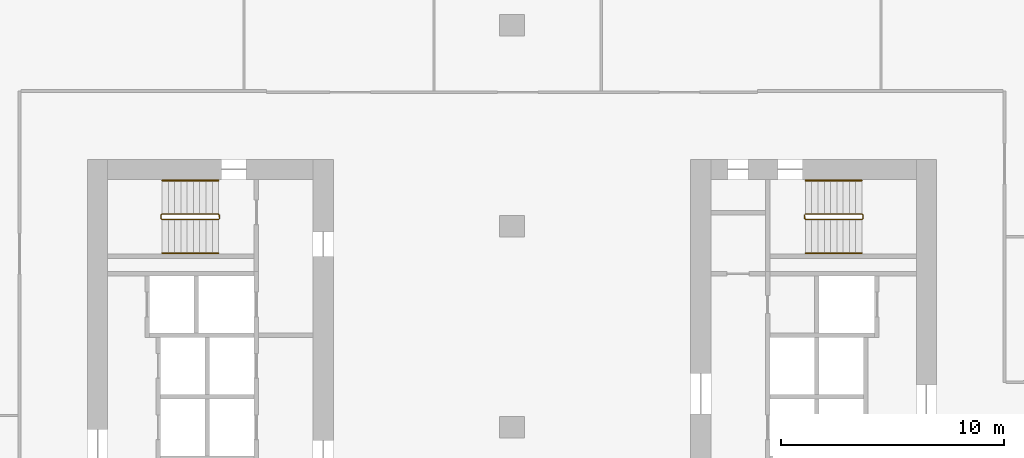
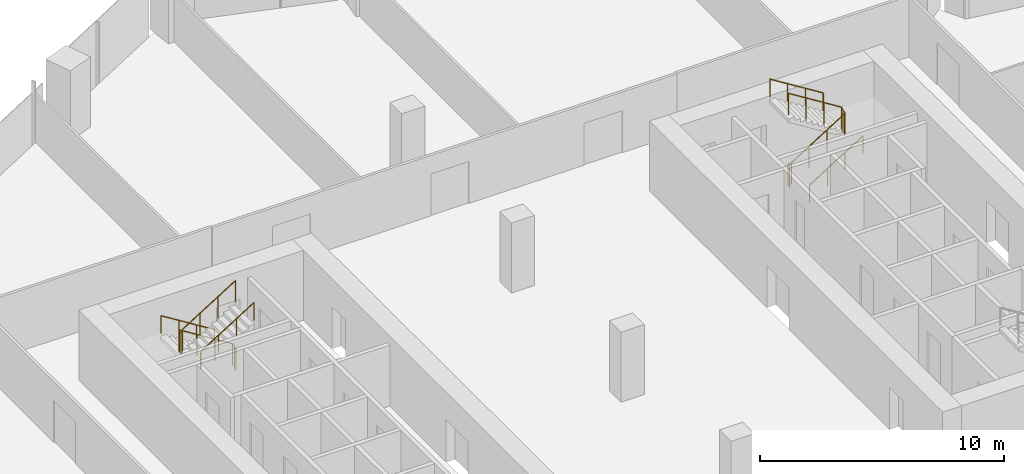
# One storey, part 34 of 34: 6 railings.
"""IFC4 building model written with IfcOpenShell, lengths in metres."""

from ifc_helpers import new_model, si_unit, direction, frame, origin, origin_2d, place, context, subcontext, project, spatial, circle, extrude, material, type_object, element, save


model = new_model("IFC4")

# Units and contexts
model_context = context("Model", 3, precision=1e-05, world=origin(), true_north=direction((0.0, 1.0)))
body_context = subcontext(model_context, "Body", "Model", "MODEL_VIEW")
ifc_project = project(units=[si_unit("LENGTHUNIT", "METRE"), si_unit("AREAUNIT", "SQUARE_METRE"), si_unit("VOLUMEUNIT", "CUBIC_METRE"), si_unit("PLANEANGLEUNIT", "RADIAN"), si_unit("MASSUNIT", "GRAM", prefix="KILO")], contexts=[model_context])

# Site, building, storey
site_placement = place(None, origin())
site = spatial("IfcSite", under=ifc_project, at=site_placement, CompositionType="ELEMENT")
building_placement = place(site_placement, origin())
building = spatial("IfcBuilding", under=site, at=building_placement, Name="Orlundy Tower", CompositionType="ELEMENT")
storey_placement = place(building_placement, frame((0.0, 0.0, 137.699951171875)))
storey = spatial("IfcBuildingStorey", under=building, at=storey_placement, Name="L35", CompositionType="ELEMENT", Elevation=137.699951171875)

# Railings
ifc_material_1 = material(Name="Steel balustrade", Category="steel")
railing_type_1 = type_object("IfcRailingType", Name="Stair Guard 1100", PredefinedType="GUARDRAIL", material=ifc_material_1)
railing_1_placement = place(storey_placement, frame((-13.090087890625, 9.5, 0.0)))
element("IfcRailing", 1, at=railing_1_placement, inside=storey, type_object=railing_type_1, Name="L35 ST-W1 stair guard 1", PredefinedType="GUARDRAIL", context=body_context, shape_type="SweptSolid", body=[
    extrude(circle(Radius=0.02392578125, at=origin_2d()), frame((0.0, 0.0, 1.076171875), z_axis=(0.0, -1.0, 0.0), x_axis=(1.0, 0.0, 0.0)), (0.0, 0.0, 1.0), 0.14990234375),
    extrude(circle(Radius=0.02392578125, at=origin_2d()), frame((0.0, -0.14990234375, 1.076171875), z_axis=(-0.18420542264, 0.739530593833, 0.647427882513), x_axis=(-0.970351222016, -0.241699205484, 0.0)), (0.0, 0.0, 1.0), 0.270263671875),
    extrude(circle(Radius=0.02392578125, at=origin_2d()), frame((-0.0498046875, 0.050048828125, 1.2509765625), z_axis=(-0.848007534815, 0.0, 0.529984170421), x_axis=(0.0, -1.0, 0.0)), (0.0, 0.0, 1.0), 2.9716796875),
    extrude(circle(Radius=0.02392578125, at=origin_2d()), frame((-2.56982421875, 0.050048828125, 2.826171875), z_axis=(-0.707106781187, -0.707106781187, 0.0), x_axis=(0.707106781187, -0.707106781187, 0.0)), (0.0, 0.0, 1.0), 0.07080078125),
    extrude(circle(Radius=0.02392578125, at=origin_2d()), frame((-2.619873046875, 0.0, 2.826171875), z_axis=(0.0, -1.0, 0.0), x_axis=(1.0, 0.0, 0.0)), (0.0, 0.0, 1.0), 0.14990234375),
    extrude(circle(Radius=0.02392578125, at=origin_2d()), frame((-2.619873046875, -0.14990234375, 2.826171875), z_axis=(0.265065253269, -0.265065253269, 0.927081885822), x_axis=(0.707106781187, 0.707106781187, 0.0)), (0.0, 0.0, 1.0), 0.188720703125),
    extrude(circle(Radius=0.02392578125, at=origin_2d()), frame((-2.56982421875, -0.199951171875, 3.0009765625), z_axis=(0.848007534815, 0.0, 0.529984170421), x_axis=(0.0, 1.0, 0.0)), (0.0, 0.0, 1.0), 2.9716796875),
    extrude(circle(Radius=0.02099609375, at=origin_2d()), origin(), (0.0, 0.0, 1.0), 1.052001953125),
    extrude(circle(Radius=0.02099609375, at=origin_2d()), frame((0.0, -0.14990234375, 0.0)), (0.0, 0.0, 1.0), 1.052001953125),
    extrude(circle(Radius=0.02099609375, at=origin_2d()), frame((-0.0498046875, 0.050048828125, 0.175048828125)), (0.0, 0.0, 1.0), 1.052001953125),
    extrude(circle(Radius=0.02099609375, at=origin_2d()), frame((-0.889892578125, 0.050048828125, 0.699951171875)), (0.0, 0.0, 1.0), 1.052001953125),
    extrude(circle(Radius=0.02099609375, at=origin_2d()), frame((-1.729736328125, 0.050048828125, 1.22509765625)), (0.0, 0.0, 1.0), 1.052001953125),
    extrude(circle(Radius=0.02099609375, at=origin_2d()), frame((-2.56982421875, 0.050048828125, 1.75)), (0.0, 0.0, 1.0), 1.052001953125),
    extrude(circle(Radius=0.02099609375, at=origin_2d()), frame((-2.619873046875, 0.0, 1.75)), (0.0, 0.0, 1.0), 1.052001953125),
    extrude(circle(Radius=0.02099609375, at=origin_2d()), frame((-2.619873046875, -0.14990234375, 1.75)), (0.0, 0.0, 1.0), 1.052001953125),
    extrude(circle(Radius=0.02099609375, at=origin_2d()), frame((-2.56982421875, -0.199951171875, 1.925048828125)), (0.0, 0.0, 1.0), 1.052001953125),
    extrude(circle(Radius=0.02099609375, at=origin_2d()), frame((-1.729736328125, -0.199951171875, 2.449951171875)), (0.0, 0.0, 1.0), 1.052001953125),
    extrude(circle(Radius=0.02099609375, at=origin_2d()), frame((-0.889892578125, -0.199951171875, 2.97509765625)), (0.0, 0.0, 1.0), 1.052001953125),
    extrude(circle(Radius=0.02099609375, at=origin_2d()), frame((-0.0498046875, -0.199951171875, 3.5)), (0.0, 0.0, 1.0), 1.052001953125),
])
railing_2_placement = place(storey_placement, frame((13.090087890625, 9.35009765625, 0.0)))
element("IfcRailing", 2, at=railing_2_placement, inside=storey, type_object=railing_type_1, Name="L35 ST-E2 stair guard 1", PredefinedType="GUARDRAIL", context=body_context, shape_type="SweptSolid", body=[
    extrude(circle(Radius=0.02392578125, at=origin_2d()), frame((0.0, 0.0, 1.076171875), z_axis=(0.0, 1.0, 0.0), x_axis=(-1.0, 0.0, 0.0)), (0.0, 0.0, 1.0), 0.14990234375),
    extrude(circle(Radius=0.02392578125, at=origin_2d()), frame((0.0, 0.14990234375, 1.076171875), z_axis=(0.18420542264, -0.739530593833, 0.647427882513), x_axis=(0.970351222016, 0.241699205484, 0.0)), (0.0, 0.0, 1.0), 0.270263671875),
    extrude(circle(Radius=0.02392578125, at=origin_2d()), frame((0.0498046875, -0.050048828125, 1.2509765625), z_axis=(0.848007534815, 0.0, 0.529984170421), x_axis=(0.0, 1.0, 0.0)), (0.0, 0.0, 1.0), 2.9716796875),
    extrude(circle(Radius=0.02392578125, at=origin_2d()), frame((2.56982421875, -0.050048828125, 2.826171875), z_axis=(0.707106781187, 0.707106781187, 0.0), x_axis=(-0.707106781187, 0.707106781187, 0.0)), (0.0, 0.0, 1.0), 0.07080078125),
    extrude(circle(Radius=0.02392578125, at=origin_2d()), frame((2.619873046875, 0.0, 2.826171875), z_axis=(0.0, 1.0, 0.0), x_axis=(-1.0, 0.0, 0.0)), (0.0, 0.0, 1.0), 0.14990234375),
    extrude(circle(Radius=0.02392578125, at=origin_2d()), frame((2.619873046875, 0.14990234375, 2.826171875), z_axis=(-0.265065253269, 0.265065253269, 0.927081885822), x_axis=(-0.707106781187, -0.707106781187, 0.0)), (0.0, 0.0, 1.0), 0.188720703125),
    extrude(circle(Radius=0.02392578125, at=origin_2d()), frame((2.56982421875, 0.199951171875, 3.0009765625), z_axis=(-0.848007534815, 0.0, 0.529984170421), x_axis=(0.0, -1.0, 0.0)), (0.0, 0.0, 1.0), 2.9716796875),
    extrude(circle(Radius=0.02099609375, at=origin_2d()), origin(), (0.0, 0.0, 1.0), 1.052001953125),
    extrude(circle(Radius=0.02099609375, at=origin_2d()), frame((0.0, 0.14990234375, 0.0)), (0.0, 0.0, 1.0), 1.052001953125),
    extrude(circle(Radius=0.02099609375, at=origin_2d()), frame((0.0498046875, -0.050048828125, 0.175048828125)), (0.0, 0.0, 1.0), 1.052001953125),
    extrude(circle(Radius=0.02099609375, at=origin_2d()), frame((0.889892578125, -0.050048828125, 0.699951171875)), (0.0, 0.0, 1.0), 1.052001953125),
    extrude(circle(Radius=0.02099609375, at=origin_2d()), frame((1.729736328125, -0.050048828125, 1.22509765625)), (0.0, 0.0, 1.0), 1.052001953125),
    extrude(circle(Radius=0.02099609375, at=origin_2d()), frame((2.56982421875, -0.050048828125, 1.75)), (0.0, 0.0, 1.0), 1.052001953125),
    extrude(circle(Radius=0.02099609375, at=origin_2d()), frame((2.619873046875, 0.0, 1.75)), (0.0, 0.0, 1.0), 1.052001953125),
    extrude(circle(Radius=0.02099609375, at=origin_2d()), frame((2.619873046875, 0.14990234375, 1.75)), (0.0, 0.0, 1.0), 1.052001953125),
    extrude(circle(Radius=0.02099609375, at=origin_2d()), frame((2.56982421875, 0.199951171875, 1.925048828125)), (0.0, 0.0, 1.0), 1.052001953125),
    extrude(circle(Radius=0.02099609375, at=origin_2d()), frame((1.729736328125, 0.199951171875, 2.449951171875)), (0.0, 0.0, 1.0), 1.052001953125),
    extrude(circle(Radius=0.02099609375, at=origin_2d()), frame((0.889892578125, 0.199951171875, 2.97509765625)), (0.0, 0.0, 1.0), 1.052001953125),
    extrude(circle(Radius=0.02099609375, at=origin_2d()), frame((0.0498046875, 0.199951171875, 3.5)), (0.0, 0.0, 1.0), 1.052001953125),
])
ifc_material_2 = material(Name="Steel handrail", Category="steel")
railing_type_2 = type_object("IfcRailingType", Name="Stair Handrail 900", PredefinedType="HANDRAIL", material=ifc_material_2)
railing_3_placement = place(storey_placement, frame((-13.139892578125, 11.050048828125, 0.175048828125)))
element("IfcRailing", 3, at=railing_3_placement, inside=storey, type_object=railing_type_2, Name="L35 ST-W1 stair handrail 1", PredefinedType="HANDRAIL", context=body_context, shape_type="SweptSolid", body=[
    extrude(circle(Radius=0.02392578125, at=origin_2d()), frame((0.0, 0.0, 0.8759765625), z_axis=(-0.848007534815, 0.0, 0.529984170421), x_axis=(0.0, -1.0, 0.0)), (0.0, 0.0, 1.0), 2.9716796875),
    extrude(circle(Radius=0.02099609375, at=origin_2d()), origin(), (0.0, 0.0, 1.0), 0.851806640625),
    extrude(circle(Radius=0.02099609375, at=origin_2d()), frame((-0.840087890625, 0.0, 0.52490234375)), (0.0, 0.0, 1.0), 0.851806640625),
    extrude(circle(Radius=0.02099609375, at=origin_2d()), frame((-1.679931640625, 0.0, 1.050048828125)), (0.0, 0.0, 1.0), 0.851806640625),
    extrude(circle(Radius=0.02099609375, at=origin_2d()), frame((-2.52001953125, 0.0, 1.574951171875)), (0.0, 0.0, 1.0), 0.851806640625),
])
for number, where, name in (
    (4, (-15.659912109375, 7.800048828125, 1.925048828125), "L35 ST-W1 stair handrail 2"),
    (5, (13.139892578125, 7.800048828125, 0.175048828125), "L35 ST-E2 stair handrail 1"),
):
    element("IfcRailing", number, at=place(storey_placement, frame(where)), inside=storey, type_object=railing_type_2, Name=name, PredefinedType="HANDRAIL", context=body_context, shape_type="SweptSolid", body=[
        extrude(circle(Radius=0.02392578125, at=origin_2d()), frame((0.0, 0.0, 0.8759765625), z_axis=(0.848007534815, 0.0, 0.529984170421), x_axis=(0.0, 1.0, 0.0)), (0.0, 0.0, 1.0), 2.9716796875),
        extrude(circle(Radius=0.02099609375, at=origin_2d()), origin(), (0.0, 0.0, 1.0), 0.851806640625),
        extrude(circle(Radius=0.02099609375, at=origin_2d()), frame((0.840087890625, 0.0, 0.52490234375)), (0.0, 0.0, 1.0), 0.851806640625),
        extrude(circle(Radius=0.02099609375, at=origin_2d()), frame((1.679931640625, 0.0, 1.050048828125)), (0.0, 0.0, 1.0), 0.851806640625),
        extrude(circle(Radius=0.02099609375, at=origin_2d()), frame((2.52001953125, 0.0, 1.574951171875)), (0.0, 0.0, 1.0), 0.851806640625),
    ])
railing_4_placement = place(storey_placement, frame((15.659912109375, 11.050048828125, 1.925048828125)))
element("IfcRailing", 6, at=railing_4_placement, inside=storey, type_object=railing_type_2, Name="L35 ST-E2 stair handrail 2", PredefinedType="HANDRAIL", context=body_context, shape_type="SweptSolid", body=[
    extrude(circle(Radius=0.02392578125, at=origin_2d()), frame((0.0, 0.0, 0.8759765625), z_axis=(-0.848007534815, 0.0, 0.529984170421), x_axis=(0.0, -1.0, 0.0)), (0.0, 0.0, 1.0), 2.9716796875),
    extrude(circle(Radius=0.02099609375, at=origin_2d()), origin(), (0.0, 0.0, 1.0), 0.851806640625),
    extrude(circle(Radius=0.02099609375, at=origin_2d()), frame((-0.840087890625, 0.0, 0.52490234375)), (0.0, 0.0, 1.0), 0.851806640625),
    extrude(circle(Radius=0.02099609375, at=origin_2d()), frame((-1.679931640625, 0.0, 1.050048828125)), (0.0, 0.0, 1.0), 0.851806640625),
    extrude(circle(Radius=0.02099609375, at=origin_2d()), frame((-2.52001953125, 0.0, 1.574951171875)), (0.0, 0.0, 1.0), 0.851806640625),
])

save(model, "model.ifc")
